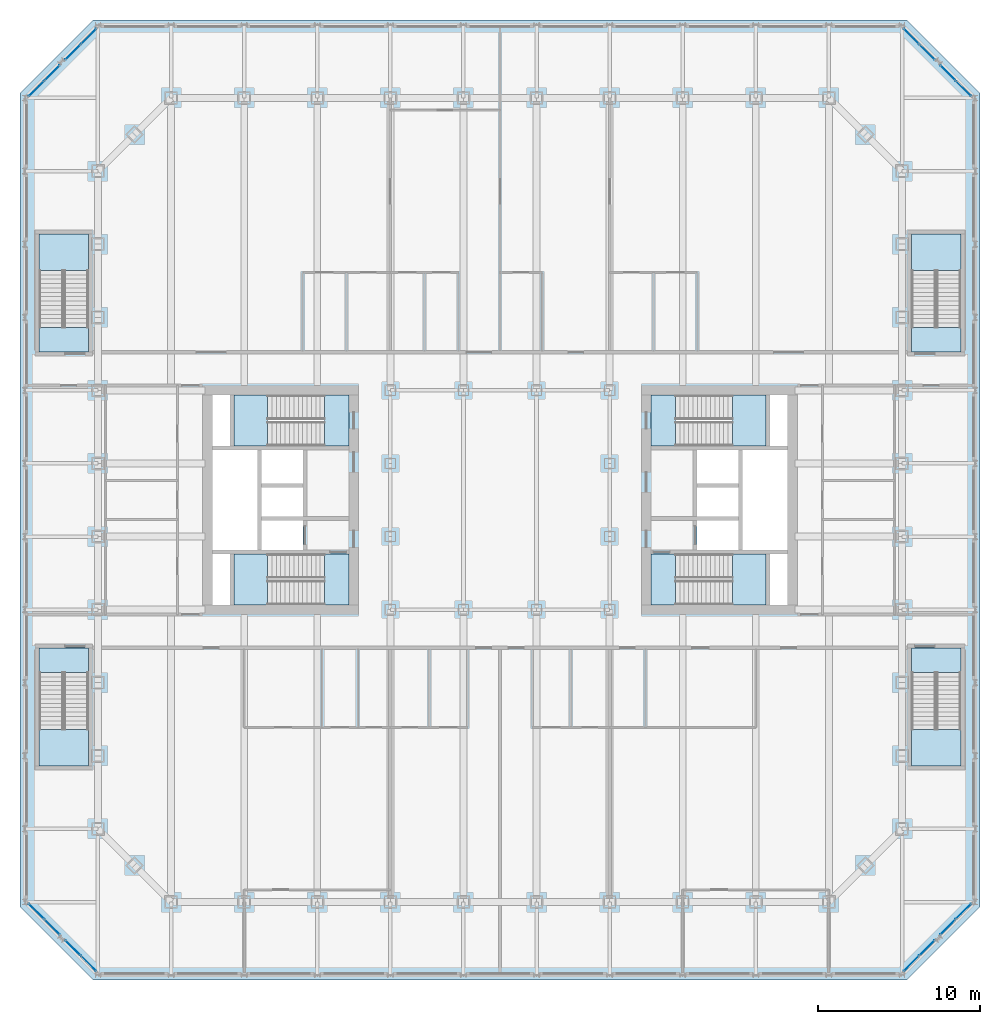
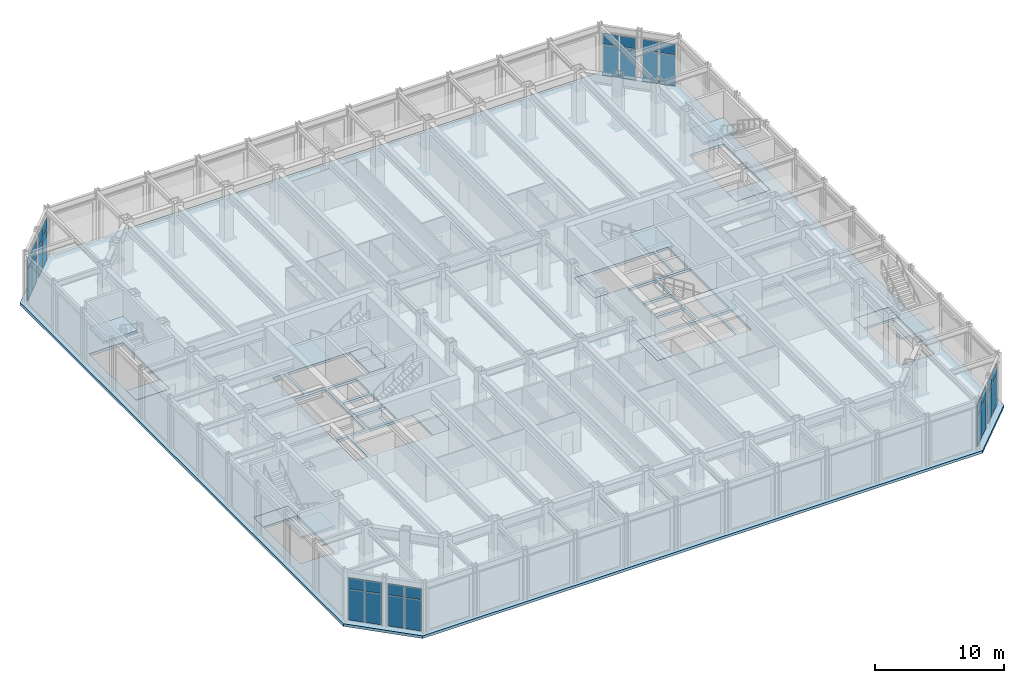
# One storey, part 9 of 19: 32 plates, 17 slabs, 16 elements without a shape of their own.
"""IFC4 building model written with IfcOpenShell, lengths in metres."""

from ifc_helpers import new_model, si_unit, direction, frame, origin, origin_2d, place, context, subcontext, project, spatial, polyline, rectangle, outline, extrude, material, layer, layer_set, type_object, element, aggregate, save


model = new_model("IFC4")

# Units and contexts
model_context = context("Model", 3, precision=1e-05, world=origin(), true_north=direction((0.0, 1.0)))
body_context = subcontext(model_context, "Body", "Model", "MODEL_VIEW")
ifc_project = project(units=[si_unit("LENGTHUNIT", "METRE"), si_unit("AREAUNIT", "SQUARE_METRE"), si_unit("VOLUMEUNIT", "CUBIC_METRE"), si_unit("PLANEANGLEUNIT", "RADIAN"), si_unit("MASSUNIT", "GRAM", prefix="KILO")], contexts=[model_context])

# Site, building, storey
site_placement = place(None, origin())
site = spatial("IfcSite", under=ifc_project, at=site_placement, CompositionType="ELEMENT")
building_placement = place(site_placement, origin())
building = spatial("IfcBuilding", under=site, at=building_placement, Name="Msasa Ring Tower", CompositionType="ELEMENT")
storey_placement = place(building_placement, frame((0.0, 0.0, 11.0)))
storey = spatial("IfcBuildingStorey", under=building, at=storey_placement, Name="L02", CompositionType="ELEMENT", Elevation=11.0)

# Curtain wall, plates
ifc_material_1 = material(Name="Aluminium curtain wall with clear glass", Category="aluminium")
curtain_wall_type = type_object("IfcCurtainWallType", Name="CW-K PODIUM CORNER CURTAIN WALL", PredefinedType="NOTDEFINED", material=ifc_material_1)
curtain_wall_1_placement = place(storey_placement, origin())
curtain_wall_1 = element("IfcCurtainWall", 1, at=curtain_wall_1_placement, inside=storey, type_object=curtain_wall_type, Name="Podium corner curtain wall SE L02", PredefinedType="NOTDEFINED")
ifc_material_2 = material(Name="Clear laminated insulating glass unit", Category="glass")
ifc_layer_1 = layer(ifc_material_2, 0.031982421875)
ifc_layer_set_1 = layer_set([ifc_layer_1], Name="CW-K GLASS PANEL 32")
plate_type = type_object("IfcPlateType", Name="CW-K GLASS PANEL 32", PredefinedType="CURTAIN_PANEL", material=ifc_layer_set_1)
plate_1_placement = place(storey_placement, frame((25.320556640625, -28.5380859375, 0.070068359375), z_axis=(0.0, 0.0, 1.0), x_axis=(0.707106781187, 0.707106781187, 0.0)))
plate_1 = element("IfcPlate", 2, at=plate_1_placement, type_object=plate_type, Name="CW-K panel 1.1", PredefinedType="CURTAIN_PANEL", context=body_context, shape_type="SweptSolid", body=[
    extrude(rectangle(XDim=1.29833984375, YDim=0.031982421875, at=origin_2d()), origin(), (0.0, 0.0, 1.0), 2.89501953125),
])
plate_2_placement = place(storey_placement, frame((25.320556640625, -28.5380859375, 3.034912109375), z_axis=(0.0, 0.0, 1.0), x_axis=(0.707106781187, 0.707106781187, 0.0)))
plate_2 = element("IfcPlate", 3, at=plate_2_placement, type_object=plate_type, Name="CW-K panel 1.2", PredefinedType="CURTAIN_PANEL", context=body_context, shape_type="SweptSolid", body=[
    extrude(rectangle(XDim=1.29833984375, YDim=0.031982421875, at=origin_2d()), origin(), (0.0, 0.0, 1.0), 1.02783203125),
])
plate_3_placement = place(storey_placement, frame((26.2880859375, -27.570556640625, 0.070068359375), z_axis=(0.0, 0.0, 1.0), x_axis=(0.707106781187, 0.707106781187, 0.0)))
plate_3 = element("IfcPlate", 4, at=plate_3_placement, type_object=plate_type, Name="CW-K panel 2.1", PredefinedType="CURTAIN_PANEL", context=body_context, shape_type="SweptSolid", body=[
    extrude(rectangle(XDim=1.29833984375, YDim=0.031982421875, at=origin_2d()), origin(), (0.0, 0.0, 1.0), 2.89501953125),
])
plate_4_placement = place(storey_placement, frame((26.2880859375, -27.570556640625, 3.034912109375), z_axis=(0.0, 0.0, 1.0), x_axis=(0.707106781187, 0.707106781187, 0.0)))
plate_4 = element("IfcPlate", 5, at=plate_4_placement, type_object=plate_type, Name="CW-K panel 2.2", PredefinedType="CURTAIN_PANEL", context=body_context, shape_type="SweptSolid", body=[
    extrude(rectangle(XDim=1.29833984375, YDim=0.031982421875, at=origin_2d()), origin(), (0.0, 0.0, 1.0), 1.02783203125),
])
aggregate(curtain_wall_1, [plate_1, plate_2, plate_3, plate_4])

curtain_wall_2_placement = place(storey_placement, origin())
curtain_wall_2 = element("IfcCurtainWall", 6, at=curtain_wall_2_placement, inside=storey, type_object=curtain_wall_type, Name="Podium corner curtain wall SE L02", PredefinedType="NOTDEFINED")
plate_5_placement = place(storey_placement, frame((27.570556640625, -26.2880859375, 0.070068359375), z_axis=(0.0, 0.0, 1.0), x_axis=(0.707106781187, 0.707106781187, 0.0)))
plate_5 = element("IfcPlate", 7, at=plate_5_placement, type_object=plate_type, Name="CW-K panel 1.1", PredefinedType="CURTAIN_PANEL", context=body_context, shape_type="SweptSolid", body=[
    extrude(rectangle(XDim=1.29833984375, YDim=0.031982421875, at=origin_2d()), origin(), (0.0, 0.0, 1.0), 2.89501953125),
])
plate_6_placement = place(storey_placement, frame((27.570556640625, -26.2880859375, 3.034912109375), z_axis=(0.0, 0.0, 1.0), x_axis=(0.707106781187, 0.707106781187, 0.0)))
plate_6 = element("IfcPlate", 8, at=plate_6_placement, type_object=plate_type, Name="CW-K panel 1.2", PredefinedType="CURTAIN_PANEL", context=body_context, shape_type="SweptSolid", body=[
    extrude(rectangle(XDim=1.29833984375, YDim=0.031982421875, at=origin_2d()), origin(), (0.0, 0.0, 1.0), 1.02783203125),
])
plate_7_placement = place(storey_placement, frame((28.5380859375, -25.320556640625, 0.070068359375), z_axis=(0.0, 0.0, 1.0), x_axis=(0.707106781187, 0.707106781187, 0.0)))
plate_7 = element("IfcPlate", 9, at=plate_7_placement, type_object=plate_type, Name="CW-K panel 2.1", PredefinedType="CURTAIN_PANEL", context=body_context, shape_type="SweptSolid", body=[
    extrude(rectangle(XDim=1.29833984375, YDim=0.031982421875, at=origin_2d()), origin(), (0.0, 0.0, 1.0), 2.89501953125),
])
plate_8_placement = place(storey_placement, frame((28.5380859375, -25.320556640625, 3.034912109375), z_axis=(0.0, 0.0, 1.0), x_axis=(0.707106781187, 0.707106781187, 0.0)))
plate_8 = element("IfcPlate", 10, at=plate_8_placement, type_object=plate_type, Name="CW-K panel 2.2", PredefinedType="CURTAIN_PANEL", context=body_context, shape_type="SweptSolid", body=[
    extrude(rectangle(XDim=1.29833984375, YDim=0.031982421875, at=origin_2d()), origin(), (0.0, 0.0, 1.0), 1.02783203125),
])
aggregate(curtain_wall_2, [plate_5, plate_6, plate_7, plate_8])

curtain_wall_3_placement = place(storey_placement, origin())
curtain_wall_3 = element("IfcCurtainWall", 11, at=curtain_wall_3_placement, inside=storey, type_object=curtain_wall_type, Name="Podium corner curtain wall NE L02", PredefinedType="NOTDEFINED")
plate_9_placement = place(storey_placement, frame((26.2880859375, 27.570556640625, 0.070068359375), z_axis=(0.0, 0.0, 1.0), x_axis=(-0.707106781187, 0.707106781187, 0.0)))
plate_9 = element("IfcPlate", 12, at=plate_9_placement, type_object=plate_type, Name="CW-K panel 1.1", PredefinedType="CURTAIN_PANEL", context=body_context, shape_type="SweptSolid", body=[
    extrude(rectangle(XDim=1.29833984375, YDim=0.031982421875, at=origin_2d()), origin(), (0.0, 0.0, 1.0), 2.89501953125),
])
plate_10_placement = place(storey_placement, frame((26.2880859375, 27.570556640625, 3.034912109375), z_axis=(0.0, 0.0, 1.0), x_axis=(-0.707106781187, 0.707106781187, 0.0)))
plate_10 = element("IfcPlate", 13, at=plate_10_placement, type_object=plate_type, Name="CW-K panel 1.2", PredefinedType="CURTAIN_PANEL", context=body_context, shape_type="SweptSolid", body=[
    extrude(rectangle(XDim=1.29833984375, YDim=0.031982421875, at=origin_2d()), origin(), (0.0, 0.0, 1.0), 1.02783203125),
])
plate_11_placement = place(storey_placement, frame((25.320556640625, 28.5380859375, 0.070068359375), z_axis=(0.0, 0.0, 1.0), x_axis=(-0.707106781187, 0.707106781187, 0.0)))
plate_11 = element("IfcPlate", 14, at=plate_11_placement, type_object=plate_type, Name="CW-K panel 2.1", PredefinedType="CURTAIN_PANEL", context=body_context, shape_type="SweptSolid", body=[
    extrude(rectangle(XDim=1.29833984375, YDim=0.031982421875, at=origin_2d()), origin(), (0.0, 0.0, 1.0), 2.89501953125),
])
plate_12_placement = place(storey_placement, frame((25.320556640625, 28.5380859375, 3.034912109375), z_axis=(0.0, 0.0, 1.0), x_axis=(-0.707106781187, 0.707106781187, 0.0)))
plate_12 = element("IfcPlate", 15, at=plate_12_placement, type_object=plate_type, Name="CW-K panel 2.2", PredefinedType="CURTAIN_PANEL", context=body_context, shape_type="SweptSolid", body=[
    extrude(rectangle(XDim=1.29833984375, YDim=0.031982421875, at=origin_2d()), origin(), (0.0, 0.0, 1.0), 1.02783203125),
])
aggregate(curtain_wall_3, [plate_9, plate_10, plate_11, plate_12])

curtain_wall_4_placement = place(storey_placement, origin())
curtain_wall_4 = element("IfcCurtainWall", 16, at=curtain_wall_4_placement, inside=storey, type_object=curtain_wall_type, Name="Podium corner curtain wall NE L02", PredefinedType="NOTDEFINED")
plate_13_placement = place(storey_placement, frame((28.5380859375, 25.320556640625, 0.070068359375), z_axis=(0.0, 0.0, 1.0), x_axis=(-0.707106781187, 0.707106781187, 0.0)))
plate_13 = element("IfcPlate", 17, at=plate_13_placement, type_object=plate_type, Name="CW-K panel 1.1", PredefinedType="CURTAIN_PANEL", context=body_context, shape_type="SweptSolid", body=[
    extrude(rectangle(XDim=1.29833984375, YDim=0.031982421875, at=origin_2d()), origin(), (0.0, 0.0, 1.0), 2.89501953125),
])
plate_14_placement = place(storey_placement, frame((28.5380859375, 25.320556640625, 3.034912109375), z_axis=(0.0, 0.0, 1.0), x_axis=(-0.707106781187, 0.707106781187, 0.0)))
plate_14 = element("IfcPlate", 18, at=plate_14_placement, type_object=plate_type, Name="CW-K panel 1.2", PredefinedType="CURTAIN_PANEL", context=body_context, shape_type="SweptSolid", body=[
    extrude(rectangle(XDim=1.29833984375, YDim=0.031982421875, at=origin_2d()), origin(), (0.0, 0.0, 1.0), 1.02783203125),
])
plate_15_placement = place(storey_placement, frame((27.570556640625, 26.2880859375, 0.070068359375), z_axis=(0.0, 0.0, 1.0), x_axis=(-0.707106781187, 0.707106781187, 0.0)))
plate_15 = element("IfcPlate", 19, at=plate_15_placement, type_object=plate_type, Name="CW-K panel 2.1", PredefinedType="CURTAIN_PANEL", context=body_context, shape_type="SweptSolid", body=[
    extrude(rectangle(XDim=1.29833984375, YDim=0.031982421875, at=origin_2d()), origin(), (0.0, 0.0, 1.0), 2.89501953125),
])
plate_16_placement = place(storey_placement, frame((27.570556640625, 26.2880859375, 3.034912109375), z_axis=(0.0, 0.0, 1.0), x_axis=(-0.707106781187, 0.707106781187, 0.0)))
plate_16 = element("IfcPlate", 20, at=plate_16_placement, type_object=plate_type, Name="CW-K panel 2.2", PredefinedType="CURTAIN_PANEL", context=body_context, shape_type="SweptSolid", body=[
    extrude(rectangle(XDim=1.29833984375, YDim=0.031982421875, at=origin_2d()), origin(), (0.0, 0.0, 1.0), 1.02783203125),
])
aggregate(curtain_wall_4, [plate_13, plate_14, plate_15, plate_16])

curtain_wall_5_placement = place(storey_placement, origin())
curtain_wall_5 = element("IfcCurtainWall", 21, at=curtain_wall_5_placement, inside=storey, type_object=curtain_wall_type, Name="Podium corner curtain wall NW L02", PredefinedType="NOTDEFINED")
plate_17_placement = place(storey_placement, frame((-27.570556640625, 26.2880859375, 0.070068359375), z_axis=(0.0, 0.0, 1.0), x_axis=(-0.707106781187, -0.707106781187, 0.0)))
plate_17 = element("IfcPlate", 22, at=plate_17_placement, type_object=plate_type, Name="CW-K panel 1.1", PredefinedType="CURTAIN_PANEL", context=body_context, shape_type="SweptSolid", body=[
    extrude(rectangle(XDim=1.29833984375, YDim=0.031982421875, at=origin_2d()), origin(), (0.0, 0.0, 1.0), 2.89501953125),
])
plate_18_placement = place(storey_placement, frame((-27.570556640625, 26.2880859375, 3.034912109375), z_axis=(0.0, 0.0, 1.0), x_axis=(-0.707106781187, -0.707106781187, 0.0)))
plate_18 = element("IfcPlate", 23, at=plate_18_placement, type_object=plate_type, Name="CW-K panel 1.2", PredefinedType="CURTAIN_PANEL", context=body_context, shape_type="SweptSolid", body=[
    extrude(rectangle(XDim=1.29833984375, YDim=0.031982421875, at=origin_2d()), origin(), (0.0, 0.0, 1.0), 1.02783203125),
])
plate_19_placement = place(storey_placement, frame((-28.5380859375, 25.320556640625, 0.070068359375), z_axis=(0.0, 0.0, 1.0), x_axis=(-0.707106781187, -0.707106781187, 0.0)))
plate_19 = element("IfcPlate", 24, at=plate_19_placement, type_object=plate_type, Name="CW-K panel 2.1", PredefinedType="CURTAIN_PANEL", context=body_context, shape_type="SweptSolid", body=[
    extrude(rectangle(XDim=1.29833984375, YDim=0.031982421875, at=origin_2d()), origin(), (0.0, 0.0, 1.0), 2.89501953125),
])
plate_20_placement = place(storey_placement, frame((-28.5380859375, 25.320556640625, 3.034912109375), z_axis=(0.0, 0.0, 1.0), x_axis=(-0.707106781187, -0.707106781187, 0.0)))
plate_20 = element("IfcPlate", 25, at=plate_20_placement, type_object=plate_type, Name="CW-K panel 2.2", PredefinedType="CURTAIN_PANEL", context=body_context, shape_type="SweptSolid", body=[
    extrude(rectangle(XDim=1.29833984375, YDim=0.031982421875, at=origin_2d()), origin(), (0.0, 0.0, 1.0), 1.02783203125),
])
aggregate(curtain_wall_5, [plate_17, plate_18, plate_19, plate_20])

curtain_wall_6_placement = place(storey_placement, origin())
curtain_wall_6 = element("IfcCurtainWall", 26, at=curtain_wall_6_placement, inside=storey, type_object=curtain_wall_type, Name="Podium corner curtain wall NW L02", PredefinedType="NOTDEFINED")
plate_21_placement = place(storey_placement, frame((-25.320556640625, 28.5380859375, 0.070068359375), z_axis=(0.0, 0.0, 1.0), x_axis=(-0.707106781187, -0.707106781187, 0.0)))
plate_21 = element("IfcPlate", 27, at=plate_21_placement, type_object=plate_type, Name="CW-K panel 1.1", PredefinedType="CURTAIN_PANEL", context=body_context, shape_type="SweptSolid", body=[
    extrude(rectangle(XDim=1.29833984375, YDim=0.031982421875, at=origin_2d()), origin(), (0.0, 0.0, 1.0), 2.89501953125),
])
plate_22_placement = place(storey_placement, frame((-25.320556640625, 28.5380859375, 3.034912109375), z_axis=(0.0, 0.0, 1.0), x_axis=(-0.707106781187, -0.707106781187, 0.0)))
plate_22 = element("IfcPlate", 28, at=plate_22_placement, type_object=plate_type, Name="CW-K panel 1.2", PredefinedType="CURTAIN_PANEL", context=body_context, shape_type="SweptSolid", body=[
    extrude(rectangle(XDim=1.29833984375, YDim=0.031982421875, at=origin_2d()), origin(), (0.0, 0.0, 1.0), 1.02783203125),
])
plate_23_placement = place(storey_placement, frame((-26.2880859375, 27.570556640625, 0.070068359375), z_axis=(0.0, 0.0, 1.0), x_axis=(-0.707106781187, -0.707106781187, 0.0)))
plate_23 = element("IfcPlate", 29, at=plate_23_placement, type_object=plate_type, Name="CW-K panel 2.1", PredefinedType="CURTAIN_PANEL", context=body_context, shape_type="SweptSolid", body=[
    extrude(rectangle(XDim=1.29833984375, YDim=0.031982421875, at=origin_2d()), origin(), (0.0, 0.0, 1.0), 2.89501953125),
])
plate_24_placement = place(storey_placement, frame((-26.2880859375, 27.570556640625, 3.034912109375), z_axis=(0.0, 0.0, 1.0), x_axis=(-0.707106781187, -0.707106781187, 0.0)))
plate_24 = element("IfcPlate", 30, at=plate_24_placement, type_object=plate_type, Name="CW-K panel 2.2", PredefinedType="CURTAIN_PANEL", context=body_context, shape_type="SweptSolid", body=[
    extrude(rectangle(XDim=1.29833984375, YDim=0.031982421875, at=origin_2d()), origin(), (0.0, 0.0, 1.0), 1.02783203125),
])
aggregate(curtain_wall_6, [plate_21, plate_22, plate_23, plate_24])

curtain_wall_7_placement = place(storey_placement, origin())
curtain_wall_7 = element("IfcCurtainWall", 31, at=curtain_wall_7_placement, inside=storey, type_object=curtain_wall_type, Name="Podium corner curtain wall SW L02", PredefinedType="NOTDEFINED")
plate_25_placement = place(storey_placement, frame((-28.5380859375, -25.320556640625, 0.070068359375), z_axis=(0.0, 0.0, 1.0), x_axis=(0.707106781187, -0.707106781187, 0.0)))
plate_25 = element("IfcPlate", 32, at=plate_25_placement, type_object=plate_type, Name="CW-K panel 1.1", PredefinedType="CURTAIN_PANEL", context=body_context, shape_type="SweptSolid", body=[
    extrude(rectangle(XDim=1.29833984375, YDim=0.031982421875, at=origin_2d()), origin(), (0.0, 0.0, 1.0), 2.89501953125),
])
plate_26_placement = place(storey_placement, frame((-28.5380859375, -25.320556640625, 3.034912109375), z_axis=(0.0, 0.0, 1.0), x_axis=(0.707106781187, -0.707106781187, 0.0)))
plate_26 = element("IfcPlate", 33, at=plate_26_placement, type_object=plate_type, Name="CW-K panel 1.2", PredefinedType="CURTAIN_PANEL", context=body_context, shape_type="SweptSolid", body=[
    extrude(rectangle(XDim=1.29833984375, YDim=0.031982421875, at=origin_2d()), origin(), (0.0, 0.0, 1.0), 1.02783203125),
])
plate_27_placement = place(storey_placement, frame((-27.570556640625, -26.2880859375, 0.070068359375), z_axis=(0.0, 0.0, 1.0), x_axis=(0.707106781187, -0.707106781187, 0.0)))
plate_27 = element("IfcPlate", 34, at=plate_27_placement, type_object=plate_type, Name="CW-K panel 2.1", PredefinedType="CURTAIN_PANEL", context=body_context, shape_type="SweptSolid", body=[
    extrude(rectangle(XDim=1.29833984375, YDim=0.031982421875, at=origin_2d()), origin(), (0.0, 0.0, 1.0), 2.89501953125),
])
plate_28_placement = place(storey_placement, frame((-27.570556640625, -26.2880859375, 3.034912109375), z_axis=(0.0, 0.0, 1.0), x_axis=(0.707106781187, -0.707106781187, 0.0)))
plate_28 = element("IfcPlate", 35, at=plate_28_placement, type_object=plate_type, Name="CW-K panel 2.2", PredefinedType="CURTAIN_PANEL", context=body_context, shape_type="SweptSolid", body=[
    extrude(rectangle(XDim=1.29833984375, YDim=0.031982421875, at=origin_2d()), origin(), (0.0, 0.0, 1.0), 1.02783203125),
])
aggregate(curtain_wall_7, [plate_25, plate_26, plate_27, plate_28])

curtain_wall_8_placement = place(storey_placement, origin())
curtain_wall_8 = element("IfcCurtainWall", 36, at=curtain_wall_8_placement, inside=storey, type_object=curtain_wall_type, Name="Podium corner curtain wall SW L02", PredefinedType="NOTDEFINED")
plate_29_placement = place(storey_placement, frame((-26.2880859375, -27.570556640625, 0.070068359375), z_axis=(0.0, 0.0, 1.0), x_axis=(0.707106781187, -0.707106781187, 0.0)))
plate_29 = element("IfcPlate", 37, at=plate_29_placement, type_object=plate_type, Name="CW-K panel 1.1", PredefinedType="CURTAIN_PANEL", context=body_context, shape_type="SweptSolid", body=[
    extrude(rectangle(XDim=1.29833984375, YDim=0.031982421875, at=origin_2d()), origin(), (0.0, 0.0, 1.0), 2.89501953125),
])
plate_30_placement = place(storey_placement, frame((-26.2880859375, -27.570556640625, 3.034912109375), z_axis=(0.0, 0.0, 1.0), x_axis=(0.707106781187, -0.707106781187, 0.0)))
plate_30 = element("IfcPlate", 38, at=plate_30_placement, type_object=plate_type, Name="CW-K panel 1.2", PredefinedType="CURTAIN_PANEL", context=body_context, shape_type="SweptSolid", body=[
    extrude(rectangle(XDim=1.29833984375, YDim=0.031982421875, at=origin_2d()), origin(), (0.0, 0.0, 1.0), 1.02783203125),
])
plate_31_placement = place(storey_placement, frame((-25.320556640625, -28.5380859375, 0.070068359375), z_axis=(0.0, 0.0, 1.0), x_axis=(0.707106781187, -0.707106781187, 0.0)))
plate_31 = element("IfcPlate", 39, at=plate_31_placement, type_object=plate_type, Name="CW-K panel 2.1", PredefinedType="CURTAIN_PANEL", context=body_context, shape_type="SweptSolid", body=[
    extrude(rectangle(XDim=1.29833984375, YDim=0.031982421875, at=origin_2d()), origin(), (0.0, 0.0, 1.0), 2.89501953125),
])
plate_32_placement = place(storey_placement, frame((-25.320556640625, -28.5380859375, 3.034912109375), z_axis=(0.0, 0.0, 1.0), x_axis=(0.707106781187, -0.707106781187, 0.0)))
plate_32 = element("IfcPlate", 40, at=plate_32_placement, type_object=plate_type, Name="CW-K panel 2.2", PredefinedType="CURTAIN_PANEL", context=body_context, shape_type="SweptSolid", body=[
    extrude(rectangle(XDim=1.29833984375, YDim=0.031982421875, at=origin_2d()), origin(), (0.0, 0.0, 1.0), 1.02783203125),
])
aggregate(curtain_wall_8, [plate_29, plate_30, plate_31, plate_32])

# Stair, slabs
ifc_material_3 = material(Name="Concrete C40/50", Category="concrete")
stair_type_1 = type_object("IfcStairType", Name="STC CORE STAIR 28 RISERS 178.6", PredefinedType="HALF_TURN_STAIR", material=ifc_material_3)
stair_1_placement = place(storey_placement, origin())
stair_1 = element("IfcStair", 41, at=stair_1_placement, inside=storey, type_object=stair_type_1, Name="Core stair SEA L02", PredefinedType="HALF_TURN_STAIR")
ifc_material_4 = material(Name="Concrete C40/50", Category="concrete")
ifc_layer_2 = layer(ifc_material_4, 0.199951171875)
ifc_layer_set_2 = layer_set([ifc_layer_2], Name="LD1 CORE STAIR LANDING 200")
slab_type_1 = type_object("IfcSlabType", Name="LD1 CORE STAIR LANDING 200", PredefinedType="LANDING", material=ifc_layer_set_2)
slab_1_placement = place(storey_placement, frame((0.0, 0.0, -0.199951171875)))
slab_1 = element("IfcSlab", 42, at=slab_1_placement, type_object=slab_type_1, Name="SEA landing 1", PredefinedType="LANDING", context=body_context, shape_type="SweptSolid", body=[
    extrude(outline(polyline([(9.300048828125, -6.449951171875), (10.800048828125, -6.449951171875), (10.800048828125, -3.324951171875), (9.300048828125, -3.324951171875), (9.300048828125, -6.449951171875)])), origin(), (0.0, 0.0, 1.0), 0.199951171875),
])
slab_2_placement = place(storey_placement, frame((0.0, 0.0, 2.300048828125)))
slab_2 = element("IfcSlab", 43, at=slab_2_placement, type_object=slab_type_1, Name="SEA landing 2", PredefinedType="LANDING", context=body_context, shape_type="SweptSolid", body=[
    extrude(outline(polyline([(14.31005859375, -6.449951171875), (16.375, -6.449951171875), (16.375, -3.324951171875), (14.31005859375, -3.324951171875), (14.31005859375, -6.449951171875)])), origin(), (0.0, 0.0, 1.0), 0.199951171875),
])
aggregate(stair_1, [slab_1, slab_2])

stair_2_placement = place(storey_placement, origin())
stair_2 = element("IfcStair", 44, at=stair_2_placement, inside=storey, type_object=stair_type_1, Name="Core stair SEB L02", PredefinedType="HALF_TURN_STAIR")
slab_3_placement = place(storey_placement, frame((0.0, 0.0, -0.199951171875)))
slab_3 = element("IfcSlab", 45, at=slab_3_placement, type_object=slab_type_1, Name="SEB landing 1", PredefinedType="LANDING", context=body_context, shape_type="SweptSolid", body=[
    extrude(outline(polyline([(9.300048828125, 3.324951171875), (10.800048828125, 3.324951171875), (10.800048828125, 6.449951171875), (9.300048828125, 6.449951171875), (9.300048828125, 3.324951171875)])), origin(), (0.0, 0.0, 1.0), 0.199951171875),
])
slab_4_placement = place(storey_placement, frame((0.0, 0.0, 2.300048828125)))
slab_4 = element("IfcSlab", 46, at=slab_4_placement, type_object=slab_type_1, Name="SEB landing 2", PredefinedType="LANDING", context=body_context, shape_type="SweptSolid", body=[
    extrude(outline(polyline([(14.31005859375, 3.324951171875), (16.375, 3.324951171875), (16.375, 6.449951171875), (14.31005859375, 6.449951171875), (14.31005859375, 3.324951171875)])), origin(), (0.0, 0.0, 1.0), 0.199951171875),
])
aggregate(stair_2, [slab_3, slab_4])

stair_3_placement = place(storey_placement, origin())
stair_3 = element("IfcStair", 47, at=stair_3_placement, inside=storey, type_object=stair_type_1, Name="Core stair SWA L02", PredefinedType="HALF_TURN_STAIR")
slab_5_placement = place(storey_placement, frame((0.0, 0.0, -0.199951171875)))
slab_5 = element("IfcSlab", 48, at=slab_5_placement, type_object=slab_type_1, Name="SWA landing 1", PredefinedType="LANDING", context=body_context, shape_type="SweptSolid", body=[
    extrude(outline(polyline([(-10.800048828125, -6.449951171875), (-9.300048828125, -6.449951171875), (-9.300048828125, -3.324951171875), (-10.800048828125, -3.324951171875), (-10.800048828125, -6.449951171875)])), origin(), (0.0, 0.0, 1.0), 0.199951171875),
])
slab_6_placement = place(storey_placement, frame((0.0, 0.0, 2.300048828125)))
slab_6 = element("IfcSlab", 49, at=slab_6_placement, type_object=slab_type_1, Name="SWA landing 2", PredefinedType="LANDING", context=body_context, shape_type="SweptSolid", body=[
    extrude(outline(polyline([(-16.375, -6.449951171875), (-14.31005859375, -6.449951171875), (-14.31005859375, -3.324951171875), (-16.375, -3.324951171875), (-16.375, -6.449951171875)])), origin(), (0.0, 0.0, 1.0), 0.199951171875),
])
aggregate(stair_3, [slab_5, slab_6])

stair_4_placement = place(storey_placement, origin())
stair_4 = element("IfcStair", 50, at=stair_4_placement, inside=storey, type_object=stair_type_1, Name="Core stair SWB L02", PredefinedType="HALF_TURN_STAIR")
slab_7_placement = place(storey_placement, frame((0.0, 0.0, -0.199951171875)))
slab_7 = element("IfcSlab", 51, at=slab_7_placement, type_object=slab_type_1, Name="SWB landing 1", PredefinedType="LANDING", context=body_context, shape_type="SweptSolid", body=[
    extrude(outline(polyline([(-10.800048828125, 3.324951171875), (-9.300048828125, 3.324951171875), (-9.300048828125, 6.449951171875), (-10.800048828125, 6.449951171875), (-10.800048828125, 3.324951171875)])), origin(), (0.0, 0.0, 1.0), 0.199951171875),
])
slab_8_placement = place(storey_placement, frame((0.0, 0.0, 2.300048828125)))
slab_8 = element("IfcSlab", 52, at=slab_8_placement, type_object=slab_type_1, Name="SWB landing 2", PredefinedType="LANDING", context=body_context, shape_type="SweptSolid", body=[
    extrude(outline(polyline([(-16.375, 3.324951171875), (-14.31005859375, 3.324951171875), (-14.31005859375, 6.449951171875), (-16.375, 6.449951171875), (-16.375, 3.324951171875)])), origin(), (0.0, 0.0, 1.0), 0.199951171875),
])
aggregate(stair_4, [slab_7, slab_8])

ifc_material_5 = material(Name="Concrete C40/50", Category="concrete")
stair_type_2 = type_object("IfcStairType", Name="STP PODIUM STAIR 28 RISERS 178.6", PredefinedType="HALF_TURN_STAIR", material=ifc_material_5)
stair_5_placement = place(storey_placement, origin())
stair_5 = element("IfcStair", 53, at=stair_5_placement, inside=storey, type_object=stair_type_2, Name="Podium stair PEN L02", PredefinedType="HALF_TURN_STAIR")
ifc_material_6 = material(Name="Concrete C40/50", Category="concrete")
ifc_layer_3 = layer(ifc_material_6, 0.199951171875)
ifc_layer_set_3 = layer_set([ifc_layer_3], Name="LD2 PODIUM STAIR LANDING 200")
slab_type_2 = type_object("IfcSlabType", Name="LD2 PODIUM STAIR LANDING 200", PredefinedType="LANDING", material=ifc_layer_set_3)
slab_9_placement = place(storey_placement, frame((0.0, 0.0, -0.199951171875)))
slab_9 = element("IfcSlab", 54, at=slab_9_placement, type_object=slab_type_2, Name="PEN landing 1", PredefinedType="LANDING", context=body_context, shape_type="SweptSolid", body=[
    extrude(outline(polyline([(25.324951171875, 9.125), (28.375, 9.125), (28.375, 10.625), (25.324951171875, 10.625), (25.324951171875, 9.125)])), origin(), (0.0, 0.0, 1.0), 0.199951171875),
])
slab_10_placement = place(storey_placement, frame((0.0, 0.0, 2.300048828125)))
slab_10 = element("IfcSlab", 55, at=slab_10_placement, type_object=slab_type_2, Name="PEN landing 2", PredefinedType="LANDING", context=body_context, shape_type="SweptSolid", body=[
    extrude(outline(polyline([(25.324951171875, 14.135009765625), (28.375, 14.135009765625), (28.375, 16.375), (25.324951171875, 16.375), (25.324951171875, 14.135009765625)])), origin(), (0.0, 0.0, 1.0), 0.199951171875),
])
aggregate(stair_5, [slab_9, slab_10])

stair_6_placement = place(storey_placement, origin())
stair_6 = element("IfcStair", 56, at=stair_6_placement, inside=storey, type_object=stair_type_2, Name="Podium stair PES L02", PredefinedType="HALF_TURN_STAIR")
slab_11_placement = place(storey_placement, frame((0.0, 0.0, -0.199951171875)))
slab_11 = element("IfcSlab", 57, at=slab_11_placement, type_object=slab_type_2, Name="PES landing 1", PredefinedType="LANDING", context=body_context, shape_type="SweptSolid", body=[
    extrude(outline(polyline([(25.324951171875, -10.625), (28.375, -10.625), (28.375, -9.125), (25.324951171875, -9.125), (25.324951171875, -10.625)])), origin(), (0.0, 0.0, 1.0), 0.199951171875),
])
slab_12_placement = place(storey_placement, frame((0.0, 0.0, 2.300048828125)))
slab_12 = element("IfcSlab", 58, at=slab_12_placement, type_object=slab_type_2, Name="PES landing 2", PredefinedType="LANDING", context=body_context, shape_type="SweptSolid", body=[
    extrude(outline(polyline([(25.324951171875, -16.375), (28.375, -16.375), (28.375, -14.135009765625), (25.324951171875, -14.135009765625), (25.324951171875, -16.375)])), origin(), (0.0, 0.0, 1.0), 0.199951171875),
])
aggregate(stair_6, [slab_11, slab_12])

stair_7_placement = place(storey_placement, origin())
stair_7 = element("IfcStair", 59, at=stair_7_placement, inside=storey, type_object=stair_type_2, Name="Podium stair PWN L02", PredefinedType="HALF_TURN_STAIR")
slab_13_placement = place(storey_placement, frame((0.0, 0.0, -0.199951171875)))
slab_13 = element("IfcSlab", 60, at=slab_13_placement, type_object=slab_type_2, Name="PWN landing 1", PredefinedType="LANDING", context=body_context, shape_type="SweptSolid", body=[
    extrude(outline(polyline([(-28.375, 9.125), (-25.324951171875, 9.125), (-25.324951171875, 10.625), (-28.375, 10.625), (-28.375, 9.125)])), origin(), (0.0, 0.0, 1.0), 0.199951171875),
])
slab_14_placement = place(storey_placement, frame((0.0, 0.0, 2.300048828125)))
slab_14 = element("IfcSlab", 61, at=slab_14_placement, type_object=slab_type_2, Name="PWN landing 2", PredefinedType="LANDING", context=body_context, shape_type="SweptSolid", body=[
    extrude(outline(polyline([(-28.375, 14.135009765625), (-25.324951171875, 14.135009765625), (-25.324951171875, 16.375), (-28.375, 16.375), (-28.375, 14.135009765625)])), origin(), (0.0, 0.0, 1.0), 0.199951171875),
])
aggregate(stair_7, [slab_13, slab_14])

stair_8_placement = place(storey_placement, origin())
stair_8 = element("IfcStair", 62, at=stair_8_placement, inside=storey, type_object=stair_type_2, Name="Podium stair PWS L02", PredefinedType="HALF_TURN_STAIR")
slab_15_placement = place(storey_placement, frame((0.0, 0.0, -0.199951171875)))
slab_15 = element("IfcSlab", 63, at=slab_15_placement, type_object=slab_type_2, Name="PWS landing 1", PredefinedType="LANDING", context=body_context, shape_type="SweptSolid", body=[
    extrude(outline(polyline([(-28.375, -10.625), (-25.324951171875, -10.625), (-25.324951171875, -9.125), (-28.375, -9.125), (-28.375, -10.625)])), origin(), (0.0, 0.0, 1.0), 0.199951171875),
])
slab_16_placement = place(storey_placement, frame((0.0, 0.0, 2.300048828125)))
slab_16 = element("IfcSlab", 64, at=slab_16_placement, type_object=slab_type_2, Name="PWS landing 2", PredefinedType="LANDING", context=body_context, shape_type="SweptSolid", body=[
    extrude(outline(polyline([(-28.375, -16.375), (-25.324951171875, -16.375), (-25.324951171875, -14.135009765625), (-28.375, -14.135009765625), (-28.375, -16.375)])), origin(), (0.0, 0.0, 1.0), 0.199951171875),
])
aggregate(stair_8, [slab_15, slab_16])

# Slab
ifc_material_7 = material(Name="Concrete C40/50", Category="concrete")
ifc_layer_4 = layer(ifc_material_7, 0.25)
ifc_layer_set_4 = layer_set([ifc_layer_4], Name="S1 PODIUM FLOOR 250")
slab_type_3 = type_object("IfcSlabType", Name="S1 PODIUM FLOOR 250", PredefinedType="FLOOR", material=ifc_layer_set_4)
slab_17_placement = place(storey_placement, frame((0.0, 0.0, -0.25)))
element("IfcSlab", 65, at=slab_17_placement, inside=storey, type_object=slab_type_3, Name="Floor slab L02", PredefinedType="FLOOR", context=body_context, shape_type="SweptSolid", body=[
    extrude(outline(polyline([(-25.050048828125, -29.550048828125), (25.050048828125, -29.550048828125), (29.550048828125, -25.050048828125), (29.550048828125, 25.050048828125), (25.050048828125, 29.550048828125), (-25.050048828125, 29.550048828125), (-29.550048828125, 25.050048828125), (-29.550048828125, -25.050048828125), (-25.050048828125, -29.550048828125)]), holes=[polyline([(9.300048828125, -6.449951171875), (16.375, -6.449951171875), (16.375, -3.324951171875), (9.300048828125, -3.324951171875), (9.300048828125, -6.449951171875)]), polyline([(9.300048828125, 3.324951171875), (16.375, 3.324951171875), (16.375, 6.449951171875), (9.300048828125, 6.449951171875), (9.300048828125, 3.324951171875)]), polyline([(12.125, -3.074951171875), (14.675048828125, -3.074951171875), (14.675048828125, -1.27490234375), (12.125, -1.27490234375), (12.125, -3.074951171875)]), polyline([(12.125, -1.02490234375), (14.675048828125, -1.02490234375), (14.675048828125, 0.77490234375), (12.125, 0.77490234375), (12.125, -1.02490234375)]), polyline([(12.125, 1.02490234375), (14.675048828125, 1.02490234375), (14.675048828125, 3.074951171875), (12.125, 3.074951171875), (12.125, 1.02490234375)]), polyline([(16.625, -6.449951171875), (17.699951171875, -6.449951171875), (17.699951171875, -3.324951171875), (16.625, -3.324951171875), (16.625, -6.449951171875)]), polyline([(16.625, 3.324951171875), (17.699951171875, 3.324951171875), (17.699951171875, 6.449951171875), (16.625, 6.449951171875), (16.625, 3.324951171875)]), polyline([(14.925048828125, -3.074951171875), (17.699951171875, -3.074951171875), (17.699951171875, 3.074951171875), (14.925048828125, 3.074951171875), (14.925048828125, -3.074951171875)]), polyline([(-16.375, -6.449951171875), (-9.300048828125, -6.449951171875), (-9.300048828125, -3.324951171875), (-16.375, -3.324951171875), (-16.375, -6.449951171875)]), polyline([(-16.375, 3.324951171875), (-9.300048828125, 3.324951171875), (-9.300048828125, 6.449951171875), (-16.375, 6.449951171875), (-16.375, 3.324951171875)]), polyline([(-14.675048828125, -3.074951171875), (-12.125, -3.074951171875), (-12.125, -1.27490234375), (-14.675048828125, -1.27490234375), (-14.675048828125, -3.074951171875)]), polyline([(-14.675048828125, -1.02490234375), (-12.125, -1.02490234375), (-12.125, 0.77490234375), (-14.675048828125, 0.77490234375), (-14.675048828125, -1.02490234375)]), polyline([(-14.675048828125, 1.02490234375), (-12.125, 1.02490234375), (-12.125, 3.074951171875), (-14.675048828125, 3.074951171875), (-14.675048828125, 1.02490234375)]), polyline([(-17.699951171875, -6.449951171875), (-16.625, -6.449951171875), (-16.625, -3.324951171875), (-17.699951171875, -3.324951171875), (-17.699951171875, -6.449951171875)]), polyline([(-17.699951171875, 3.324951171875), (-16.625, 3.324951171875), (-16.625, 6.449951171875), (-17.699951171875, 6.449951171875), (-17.699951171875, 3.324951171875)]), polyline([(-17.699951171875, -3.074951171875), (-14.925048828125, -3.074951171875), (-14.925048828125, 3.074951171875), (-17.699951171875, 3.074951171875), (-17.699951171875, -3.074951171875)]), polyline([(25.324951171875, 9.125), (28.375, 9.125), (28.375, 16.375), (25.324951171875, 16.375), (25.324951171875, 9.125)]), polyline([(25.324951171875, -16.375), (28.375, -16.375), (28.375, -9.125), (25.324951171875, -9.125), (25.324951171875, -16.375)]), polyline([(-28.375, 9.125), (-25.324951171875, 9.125), (-25.324951171875, 16.375), (-28.375, 16.375), (-28.375, 9.125)]), polyline([(-28.375, -16.375), (-25.324951171875, -16.375), (-25.324951171875, -9.125), (-28.375, -9.125), (-28.375, -16.375)])]), origin(), (0.0, 0.0, 1.0), 0.25),
])

save(model, "model.ifc")
